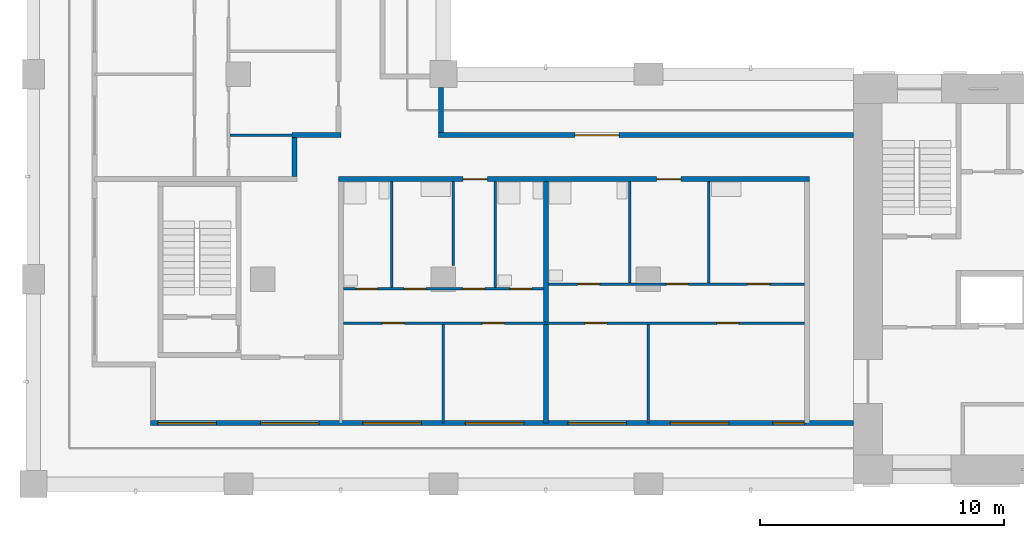
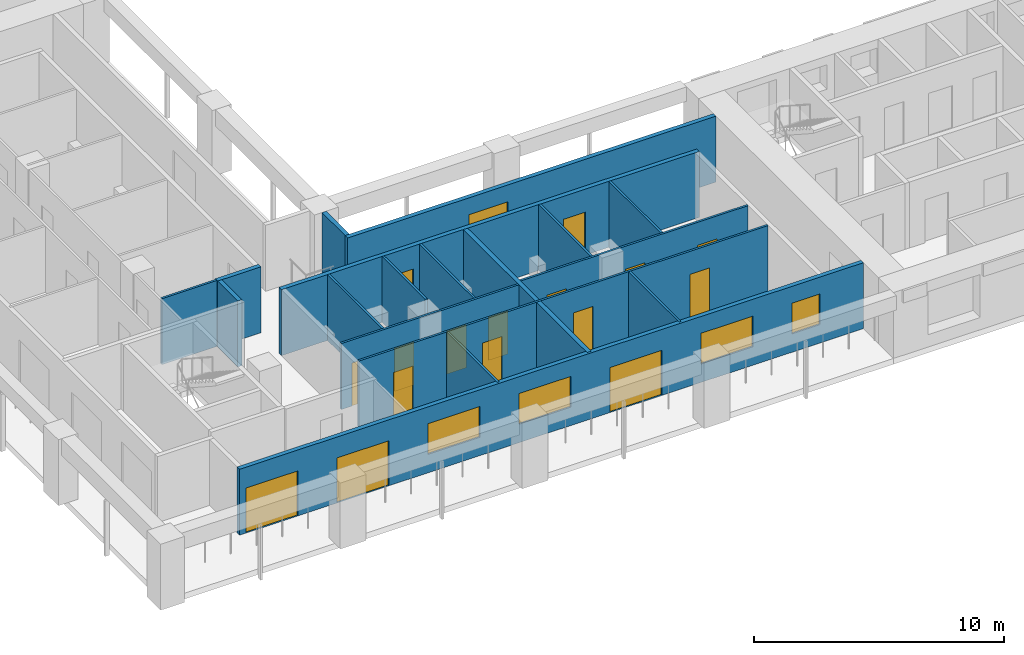
# One storey, part 2 of 10: 18 walls, 17 doors, 4 windows, 21 openings.
"""IFC4 building model written with IfcOpenShell, lengths in metres."""

from ifc_helpers import new_model, si_unit, direction, frame, frame_2d, origin, place, context, subcontext, project, spatial, rectangle, extrude, material, layer, layer_set, type_object, element, fill, save


model = new_model("IFC4")

# Units and contexts
model_context = context("Model", 3, precision=1e-05, world=origin(), true_north=direction((0.0, 1.0)))
body_context = subcontext(model_context, "Body", "Model", "MODEL_VIEW")
ifc_project = project(units=[si_unit("LENGTHUNIT", "METRE"), si_unit("AREAUNIT", "SQUARE_METRE"), si_unit("VOLUMEUNIT", "CUBIC_METRE"), si_unit("PLANEANGLEUNIT", "RADIAN"), si_unit("MASSUNIT", "GRAM", prefix="KILO")], contexts=[model_context])

# Site, building, storey
site_placement = place(None, origin())
site = spatial("IfcSite", under=ifc_project, at=site_placement, CompositionType="ELEMENT")
building_placement = place(site_placement, origin())
building = spatial("IfcBuilding", under=site, at=building_placement, Name="Vermilion Gate Residences", CompositionType="ELEMENT")
storey_placement = place(building_placement, frame((0.0, 0.0, 168.699951171875)))
storey = spatial("IfcBuildingStorey", under=building, at=storey_placement, Name="L43", CompositionType="ELEMENT", Elevation=168.699951171875)

# Wall, openings, doors, windows
ifc_material_1 = material(Name="Insulated steel stud wall with terracotta rainscreen", Category="masonry")
ifc_layer_1 = layer(ifc_material_1, 0.199951171875)
ifc_layer_set_1 = layer_set([ifc_layer_1], Name="EXTERNAL WALL 200 TERRACOTTA RAINSCREEN")
wall_type_1 = type_object("IfcWallType", Name="EXTERNAL WALL 200 TERRACOTTA RAINSCREEN", PredefinedType="SOLIDWALL", material=ifc_layer_set_1)
wall_1_placement = place(storey_placement, frame((13.199951171875, 10.89990234375, 0.0), z_axis=(0.0, 0.0, 1.0), x_axis=(1.0, 0.0, 0.0)))
wall_1 = element("IfcWall", 1, at=wall_1_placement, inside=storey, type_object=wall_type_1, Name="External wall", PredefinedType="SOLIDWALL", context=body_context, shape_type="SweptSolid", body=[
    extrude(rectangle(XDim=28.800048828125, YDim=0.199951171875, at=frame_2d((14.39990234375, 0.0))), origin(), (0.0, 0.0, 1.0), 3.219970703125),
])
opening_1_placement = place(wall_1_placement, frame((0.300048828125, 0.0, 0.0)))
opening_1 = element("IfcOpeningElement", 2, at=opening_1_placement, cuts=wall_1, Name="Opening DE43008", PredefinedType="OPENING", context=body_context, shape_type="SweptSolid", body=[
    extrude(rectangle(XDim=2.39990234375, YDim=2.199951171875, at=frame_2d((1.199951171875, 1.10009765625))), frame((0.0, 0.10986328125, 0.0), z_axis=(0.0, -1.0, 0.0), x_axis=(1.0, 0.0, 0.0)), (0.0, 0.0, 1.0), 0.219970703125),
])
opening_2_placement = place(wall_1_placement, frame((4.5, 0.0, 0.0)))
opening_2 = element("IfcOpeningElement", 3, at=opening_2_placement, cuts=wall_1, Name="Opening DE43009", PredefinedType="OPENING", context=body_context, shape_type="SweptSolid", body=[
    extrude(rectangle(XDim=2.39990234375, YDim=2.199951171875, at=frame_2d((1.199951171875, 1.10009765625))), frame((0.0, 0.10986328125, 0.0), z_axis=(0.0, -1.0, 0.0), x_axis=(1.0, 0.0, 0.0)), (0.0, 0.0, 1.0), 0.219970703125),
])
opening_3_placement = place(wall_1_placement, frame((8.699951171875, 0.0, 0.89990234375)))
opening_3 = element("IfcOpeningElement", 4, at=opening_3_placement, cuts=wall_1, Name="Opening WE43010", PredefinedType="OPENING", context=body_context, shape_type="SweptSolid", body=[
    extrude(rectangle(XDim=2.39990234375, YDim=1.5, at=frame_2d((1.199951171875, 0.75))), frame((0.0, 0.10986328125, 0.0), z_axis=(0.0, -1.0, 0.0), x_axis=(1.0, 0.0, 0.0)), (0.0, 0.0, 1.0), 0.219970703125),
])
opening_4_placement = place(wall_1_placement, frame((12.89990234375, 0.0, 0.89990234375)))
opening_4 = element("IfcOpeningElement", 5, at=opening_4_placement, cuts=wall_1, Name="Opening WE43011", PredefinedType="OPENING", context=body_context, shape_type="SweptSolid", body=[
    extrude(rectangle(XDim=2.39990234375, YDim=1.5, at=frame_2d((1.199951171875, 0.75))), frame((0.0, 0.10986328125, 0.0), z_axis=(0.0, -1.0, 0.0), x_axis=(1.0, 0.0, 0.0)), (0.0, 0.0, 1.0), 0.219970703125),
])
opening_5_placement = place(wall_1_placement, frame((17.10009765625, 0.0, 0.0)))
opening_5 = element("IfcOpeningElement", 6, at=opening_5_placement, cuts=wall_1, Name="Opening DE43012", PredefinedType="OPENING", context=body_context, shape_type="SweptSolid", body=[
    extrude(rectangle(XDim=2.39990234375, YDim=2.199951171875, at=frame_2d((1.199951171875, 1.10009765625))), frame((0.0, 0.10986328125, 0.0), z_axis=(0.0, -1.0, 0.0), x_axis=(1.0, 0.0, 0.0)), (0.0, 0.0, 1.0), 0.219970703125),
])
opening_6_placement = place(wall_1_placement, frame((21.300048828125, 0.0, 0.89990234375)))
opening_6 = element("IfcOpeningElement", 7, at=opening_6_placement, cuts=wall_1, Name="Opening WE43013", PredefinedType="OPENING", context=body_context, shape_type="SweptSolid", body=[
    extrude(rectangle(XDim=2.39990234375, YDim=1.5, at=frame_2d((1.199951171875, 0.75))), frame((0.0, 0.10986328125, 0.0), z_axis=(0.0, -1.0, 0.0), x_axis=(1.0, 0.0, 0.0)), (0.0, 0.0, 1.0), 0.219970703125),
])
opening_7_placement = place(wall_1_placement, frame((25.5, 0.0, 0.89990234375)))
opening_7 = element("IfcOpeningElement", 8, at=opening_7_placement, cuts=wall_1, Name="Opening WE43014", PredefinedType="OPENING", context=body_context, shape_type="SweptSolid", body=[
    extrude(rectangle(XDim=1.300048828125, YDim=1.5, at=frame_2d((0.64990234375, 0.75))), frame((0.0, 0.10986328125, 0.0), z_axis=(0.0, -1.0, 0.0), x_axis=(1.0, 0.0, 0.0)), (0.0, 0.0, 1.0), 0.219970703125),
])
ifc_material_2 = material(Name="Aluminium and clear glass", Category="aluminium")
door_type_1 = type_object("IfcDoorType", Name="SLIDING GLAZED DOOR 2400 X 2200", OperationType="DOUBLE_DOOR_SLIDING", PredefinedType="DOOR", material=ifc_material_2)
door_1_placement = place(opening_1_placement, origin())
door_1 = element("IfcDoor", 9, at=door_1_placement, inside=storey, type_object=door_type_1, Name="Loggia sliding door", OperationType="DOUBLE_DOOR_SLIDING", OverallHeight=2.199951171875, OverallWidth=2.39990234375, PredefinedType="DOOR", context=body_context, shape_type="SweptSolid", body=[
    extrude(rectangle(XDim=2.39990234375, YDim=2.199951171875, at=frame_2d((1.199951171875, 1.10009765625))), frame((0.0, 0.02490234375, 0.0), z_axis=(0.0, -1.0, 0.0), x_axis=(1.0, 0.0, 0.0)), (0.0, 0.0, 1.0), 0.050048828125),
])
fill(opening_1, door_1)
door_2_placement = place(opening_2_placement, origin())
door_2 = element("IfcDoor", 10, at=door_2_placement, inside=storey, type_object=door_type_1, Name="Loggia sliding door", OperationType="DOUBLE_DOOR_SLIDING", OverallHeight=2.199951171875, OverallWidth=2.39990234375, PredefinedType="DOOR", context=body_context, shape_type="SweptSolid", body=[
    extrude(rectangle(XDim=2.39990234375, YDim=2.199951171875, at=frame_2d((1.199951171875, 1.10009765625))), frame((0.0, 0.02490234375, 0.0), z_axis=(0.0, -1.0, 0.0), x_axis=(1.0, 0.0, 0.0)), (0.0, 0.0, 1.0), 0.050048828125),
])
fill(opening_2, door_2)
door_3_placement = place(opening_5_placement, origin())
door_3 = element("IfcDoor", 11, at=door_3_placement, inside=storey, type_object=door_type_1, Name="Loggia sliding door", OperationType="DOUBLE_DOOR_SLIDING", OverallHeight=2.199951171875, OverallWidth=2.39990234375, PredefinedType="DOOR", context=body_context, shape_type="SweptSolid", body=[
    extrude(rectangle(XDim=2.39990234375, YDim=2.199951171875, at=frame_2d((1.199951171875, 1.10009765625))), frame((0.0, 0.02490234375, 0.0), z_axis=(0.0, -1.0, 0.0), x_axis=(1.0, 0.0, 0.0)), (0.0, 0.0, 1.0), 0.050048828125),
])
fill(opening_5, door_3)
ifc_material_3 = material(Name="Aluminium and clear glass", Category="aluminium")
window_type_1 = type_object("IfcWindowType", Name="WINDOW 1300 X 1500", PartitioningType="SINGLE_PANEL", PredefinedType="WINDOW", material=ifc_material_3)
window_1_placement = place(opening_7_placement, origin())
window_1 = element("IfcWindow", 12, at=window_1_placement, inside=storey, type_object=window_type_1, Name="Window", OverallHeight=1.5, OverallWidth=1.300048828125, PartitioningType="SINGLE_PANEL", PredefinedType="WINDOW", context=body_context, shape_type="SweptSolid", body=[
    extrude(rectangle(XDim=1.300048828125, YDim=1.5, at=frame_2d((0.64990234375, 0.75))), frame((0.0, 0.030029296875, 0.0), z_axis=(0.0, -1.0, 0.0), x_axis=(1.0, 0.0, 0.0)), (0.0, 0.0, 1.0), 0.06005859375),
])
fill(opening_7, window_1)
ifc_material_4 = material(Name="Aluminium and clear glass", Category="aluminium")
window_type_2 = type_object("IfcWindowType", Name="WINDOW 2400 X 1500", PartitioningType="SINGLE_PANEL", PredefinedType="WINDOW", material=ifc_material_4)
window_2_placement = place(opening_3_placement, origin())
window_2 = element("IfcWindow", 13, at=window_2_placement, inside=storey, type_object=window_type_2, Name="Window", OverallHeight=1.5, OverallWidth=2.39990234375, PartitioningType="SINGLE_PANEL", PredefinedType="WINDOW", context=body_context, shape_type="SweptSolid", body=[
    extrude(rectangle(XDim=2.39990234375, YDim=1.5, at=frame_2d((1.199951171875, 0.75))), frame((0.0, 0.030029296875, 0.0), z_axis=(0.0, -1.0, 0.0), x_axis=(1.0, 0.0, 0.0)), (0.0, 0.0, 1.0), 0.06005859375),
])
fill(opening_3, window_2)
window_3_placement = place(opening_4_placement, origin())
window_3 = element("IfcWindow", 14, at=window_3_placement, inside=storey, type_object=window_type_2, Name="Window", OverallHeight=1.5, OverallWidth=2.39990234375, PartitioningType="SINGLE_PANEL", PredefinedType="WINDOW", context=body_context, shape_type="SweptSolid", body=[
    extrude(rectangle(XDim=2.39990234375, YDim=1.5, at=frame_2d((1.199951171875, 0.75))), frame((0.0, 0.030029296875, 0.0), z_axis=(0.0, -1.0, 0.0), x_axis=(1.0, 0.0, 0.0)), (0.0, 0.0, 1.0), 0.06005859375),
])
fill(opening_4, window_3)
window_4_placement = place(opening_6_placement, origin())
window_4 = element("IfcWindow", 15, at=window_4_placement, inside=storey, type_object=window_type_2, Name="Window", OverallHeight=1.5, OverallWidth=2.39990234375, PartitioningType="SINGLE_PANEL", PredefinedType="WINDOW", context=body_context, shape_type="SweptSolid", body=[
    extrude(rectangle(XDim=2.39990234375, YDim=1.5, at=frame_2d((1.199951171875, 0.75))), frame((0.0, 0.030029296875, 0.0), z_axis=(0.0, -1.0, 0.0), x_axis=(1.0, 0.0, 0.0)), (0.0, 0.0, 1.0), 0.06005859375),
])
fill(opening_6, window_4)

# Wall, opening, door
wall_2_placement = place(storey_placement, frame((42.0, 22.699951171875, 0.0), z_axis=(0.0, 0.0, 1.0), x_axis=(-1.0, 0.0, 0.0)))
wall_2 = element("IfcWall", 16, at=wall_2_placement, inside=storey, type_object=wall_type_1, Name="External wall", PredefinedType="SOLIDWALL", context=body_context, shape_type="SweptSolid", body=[
    extrude(rectangle(XDim=17.0, YDim=0.199951171875, at=frame_2d((8.5, 0.0))), origin(), (0.0, 0.0, 1.0), 3.219970703125),
])
opening_8_placement = place(wall_2_placement, frame((9.60009765625, 0.0, 0.0)))
opening_8 = element("IfcOpeningElement", 17, at=opening_8_placement, cuts=wall_2, Name="Opening DE43020", PredefinedType="OPENING", context=body_context, shape_type="SweptSolid", body=[
    extrude(rectangle(XDim=1.800048828125, YDim=2.39990234375, at=frame_2d((0.89990234375, 1.199951171875))), frame((0.0, 0.10986328125, 0.0), z_axis=(0.0, -1.0, 0.0), x_axis=(1.0, 0.0, 0.0)), (0.0, 0.0, 1.0), 0.219970703125),
])
ifc_material_5 = material(Name="Aluminium and clear glass", Category="aluminium")
door_type_2 = type_object("IfcDoorType", Name="GLAZED EXTERNAL DOOR 1800 X 2400", OperationType="DOUBLE_DOOR_SINGLE_SWING", PredefinedType="DOOR", material=ifc_material_5)
door_4_placement = place(opening_8_placement, frame((1.800048828125, 0.0, 0.0), z_axis=(0.0, 0.0, 1.0), x_axis=(-1.0, 0.0, 0.0)))
door_4 = element("IfcDoor", 18, at=door_4_placement, inside=storey, type_object=door_type_2, Name="Gallery door", OperationType="DOUBLE_DOOR_SINGLE_SWING", OverallHeight=2.39990234375, OverallWidth=1.800048828125, PredefinedType="DOOR", context=body_context, shape_type="SweptSolid", body=[
    extrude(rectangle(XDim=1.800048828125, YDim=2.39990234375, at=frame_2d((0.89990234375, 1.199951171875))), frame((0.0, 0.02490234375, 0.0), z_axis=(0.0, -1.0, 0.0), x_axis=(1.0, 0.0, 0.0)), (0.0, 0.0, 1.0), 0.050048828125),
])
fill(opening_8, door_4)

# Wall
wall_3_placement = place(storey_placement, frame((25.10009765625, 22.800048828125, 0.0), z_axis=(0.0, 0.0, 1.0), x_axis=(0.0, 1.0, 0.0)))
element("IfcWall", 19, at=wall_3_placement, inside=storey, type_object=wall_type_1, Name="External wall", PredefinedType="SOLIDWALL", context=body_context, shape_type="SweptSolid", body=[
    extrude(rectangle(XDim=1.849853515625, YDim=0.199951171875, at=frame_2d((0.9248046875, 0.0))), origin(), (0.0, 0.0, 1.0), 3.219970703125),
])

# Wall, openings, doors
ifc_material_6 = material(Name="Plasterboard on steel studs", Category="steel")
ifc_layer_2 = layer(ifc_material_6, 0.10009765625)
ifc_layer_set_2 = layer_set([ifc_layer_2], Name="PARTITION 100")
wall_type_2 = type_object("IfcWallType", Name="PARTITION 100", PredefinedType="PARTITIONING", material=ifc_layer_set_2)
wall_4_placement = place(storey_placement, frame((21.10009765625, 15.0, 0.0), z_axis=(0.0, 0.0, 1.0), x_axis=(1.0, 0.0, 0.0)))
wall_4 = element("IfcWall", 20, at=wall_4_placement, inside=storey, type_object=wall_type_2, Name="Partition", PredefinedType="PARTITIONING", context=body_context, shape_type="SweptSolid", body=[
    extrude(rectangle(XDim=18.89990234375, YDim=0.10009765625, at=frame_2d((9.449951171875, 0.0))), origin(), (0.0, 0.0, 1.0), 3.219970703125),
])
opening_9_placement = place(wall_4_placement, frame((1.60009765625, 0.0, 0.0)))
opening_9 = element("IfcOpeningElement", 21, at=opening_9_placement, cuts=wall_4, Name="Opening DA43002", PredefinedType="OPENING", context=body_context, shape_type="SweptSolid", body=[
    extrude(rectangle(XDim=0.89990234375, YDim=2.10009765625, at=frame_2d((0.449951171875, 1.050048828125))), frame((0.0, 0.06005859375, 0.0), z_axis=(0.0, -1.0, 0.0), x_axis=(1.0, 0.0, 0.0)), (0.0, 0.0, 1.0), 0.1201171875),
])
opening_10_placement = place(wall_4_placement, frame((5.699951171875, 0.0, 0.0)))
opening_10 = element("IfcOpeningElement", 22, at=opening_10_placement, cuts=wall_4, Name="Opening DA43003", PredefinedType="OPENING", context=body_context, shape_type="SweptSolid", body=[
    extrude(rectangle(XDim=0.89990234375, YDim=2.10009765625, at=frame_2d((0.449951171875, 1.050048828125))), frame((0.0, 0.06005859375, 0.0), z_axis=(0.0, -1.0, 0.0), x_axis=(1.0, 0.0, 0.0)), (0.0, 0.0, 1.0), 0.1201171875),
])
opening_11_placement = place(wall_4_placement, frame((9.89990234375, 0.0, 0.0)))
opening_11 = element("IfcOpeningElement", 23, at=opening_11_placement, cuts=wall_4, Name="Opening DA43004", PredefinedType="OPENING", context=body_context, shape_type="SweptSolid", body=[
    extrude(rectangle(XDim=0.89990234375, YDim=2.10009765625, at=frame_2d((0.449951171875, 1.050048828125))), frame((0.0, 0.06005859375, 0.0), z_axis=(0.0, -1.0, 0.0), x_axis=(1.0, 0.0, 0.0)), (0.0, 0.0, 1.0), 0.1201171875),
])
opening_12_placement = place(wall_4_placement, frame((15.300048828125, 0.0, 0.0)))
opening_12 = element("IfcOpeningElement", 24, at=opening_12_placement, cuts=wall_4, Name="Opening DA43005", PredefinedType="OPENING", context=body_context, shape_type="SweptSolid", body=[
    extrude(rectangle(XDim=0.89990234375, YDim=2.10009765625, at=frame_2d((0.449951171875, 1.050048828125))), frame((0.0, 0.06005859375, 0.0), z_axis=(0.0, -1.0, 0.0), x_axis=(1.0, 0.0, 0.0)), (0.0, 0.0, 1.0), 0.1201171875),
])
ifc_material_7 = material(Name="Timber", Category="wood")
door_type_3 = type_object("IfcDoorType", Name="INTERIOR DOOR 900 X 2100", OperationType="SINGLE_SWING_LEFT", PredefinedType="DOOR", material=ifc_material_7)
door_5_placement = place(opening_9_placement, frame((0.89990234375, 0.0, 0.0), z_axis=(0.0, 0.0, 1.0), x_axis=(-1.0, 0.0, 0.0)))
door_5 = element("IfcDoor", 25, at=door_5_placement, inside=storey, type_object=door_type_3, Name="Interior door", OperationType="SINGLE_SWING_LEFT", OverallHeight=2.10009765625, OverallWidth=0.89990234375, PredefinedType="DOOR", context=body_context, shape_type="SweptSolid", body=[
    extrude(rectangle(XDim=0.89990234375, YDim=2.10009765625, at=frame_2d((0.449951171875, 1.050048828125))), frame((0.0, 0.02490234375, 0.0), z_axis=(0.0, -1.0, 0.0), x_axis=(1.0, 0.0, 0.0)), (0.0, 0.0, 1.0), 0.050048828125),
])
fill(opening_9, door_5)
door_6_placement = place(opening_10_placement, frame((0.89990234375, 0.0, 0.0), z_axis=(0.0, 0.0, 1.0), x_axis=(-1.0, 0.0, 0.0)))
door_6 = element("IfcDoor", 26, at=door_6_placement, inside=storey, type_object=door_type_3, Name="Interior door", OperationType="SINGLE_SWING_RIGHT", OverallHeight=2.10009765625, OverallWidth=0.89990234375, PredefinedType="DOOR", context=body_context, shape_type="SweptSolid", body=[
    extrude(rectangle(XDim=0.89990234375, YDim=2.10009765625, at=frame_2d((0.449951171875, 1.050048828125))), frame((0.0, 0.02490234375, 0.0), z_axis=(0.0, -1.0, 0.0), x_axis=(1.0, 0.0, 0.0)), (0.0, 0.0, 1.0), 0.050048828125),
])
fill(opening_10, door_6)
door_7_placement = place(opening_11_placement, frame((0.89990234375, 0.0, 0.0), z_axis=(0.0, 0.0, 1.0), x_axis=(-1.0, 0.0, 0.0)))
door_7 = element("IfcDoor", 27, at=door_7_placement, inside=storey, type_object=door_type_3, Name="Interior door", OperationType="SINGLE_SWING_RIGHT", OverallHeight=2.10009765625, OverallWidth=0.89990234375, PredefinedType="DOOR", context=body_context, shape_type="SweptSolid", body=[
    extrude(rectangle(XDim=0.89990234375, YDim=2.10009765625, at=frame_2d((0.449951171875, 1.050048828125))), frame((0.0, 0.02490234375, 0.0), z_axis=(0.0, -1.0, 0.0), x_axis=(1.0, 0.0, 0.0)), (0.0, 0.0, 1.0), 0.050048828125),
])
fill(opening_11, door_7)
door_8_placement = place(opening_12_placement, frame((0.89990234375, 0.0, 0.0), z_axis=(0.0, 0.0, 1.0), x_axis=(-1.0, 0.0, 0.0)))
door_8 = element("IfcDoor", 28, at=door_8_placement, inside=storey, type_object=door_type_3, Name="Interior door", OperationType="SINGLE_SWING_LEFT", OverallHeight=2.10009765625, OverallWidth=0.89990234375, PredefinedType="DOOR", context=body_context, shape_type="SweptSolid", body=[
    extrude(rectangle(XDim=0.89990234375, YDim=2.10009765625, at=frame_2d((0.449951171875, 1.050048828125))), frame((0.0, 0.02490234375, 0.0), z_axis=(0.0, -1.0, 0.0), x_axis=(1.0, 0.0, 0.0)), (0.0, 0.0, 1.0), 0.050048828125),
])
fill(opening_12, door_8)

wall_5_placement = place(storey_placement, frame((21.10009765625, 16.39990234375, 0.0), z_axis=(0.0, 0.0, 1.0), x_axis=(1.0, 0.0, 0.0)))
wall_5 = element("IfcWall", 29, at=wall_5_placement, inside=storey, type_object=wall_type_2, Name="Partition", PredefinedType="PARTITIONING", context=body_context, shape_type="SweptSolid", body=[
    extrude(rectangle(XDim=8.199951171875, YDim=0.10009765625, at=frame_2d((4.10009765625, 0.0))), origin(), (0.0, 0.0, 1.0), 3.219970703125),
])
opening_13_placement = place(wall_5_placement, frame((4.89990234375, 0.0, 0.0)))
opening_13 = element("IfcOpeningElement", 30, at=opening_13_placement, cuts=wall_5, Name="Opening DA43006", PredefinedType="OPENING", context=body_context, shape_type="SweptSolid", body=[
    extrude(rectangle(XDim=0.89990234375, YDim=2.10009765625, at=frame_2d((0.449951171875, 1.050048828125))), frame((0.0, 0.06005859375, 0.0), z_axis=(0.0, -1.0, 0.0), x_axis=(1.0, 0.0, 0.0)), (0.0, 0.0, 1.0), 0.1201171875),
])
opening_14_placement = place(wall_5_placement, frame((0.5, 0.0, 0.0)))
opening_14 = element("IfcOpeningElement", 31, at=opening_14_placement, cuts=wall_5, Name="Opening DA43007", PredefinedType="OPENING", context=body_context, shape_type="SweptSolid", body=[
    extrude(rectangle(XDim=0.89990234375, YDim=2.10009765625, at=frame_2d((0.449951171875, 1.050048828125))), frame((0.0, 0.06005859375, 0.0), z_axis=(0.0, -1.0, 0.0), x_axis=(1.0, 0.0, 0.0)), (0.0, 0.0, 1.0), 0.1201171875),
])
opening_15_placement = place(wall_5_placement, frame((2.47998046875, 0.0, 0.0)))
opening_15 = element("IfcOpeningElement", 32, at=opening_15_placement, cuts=wall_5, Name="Opening DA43008", PredefinedType="OPENING", context=body_context, shape_type="SweptSolid", body=[
    extrude(rectangle(XDim=0.89990234375, YDim=2.10009765625, at=frame_2d((0.449951171875, 1.050048828125))), frame((0.0, 0.06005859375, 0.0), z_axis=(0.0, -1.0, 0.0), x_axis=(1.0, 0.0, 0.0)), (0.0, 0.0, 1.0), 0.1201171875),
])
opening_16_placement = place(wall_5_placement, frame((6.820068359375, 0.0, 0.0)))
opening_16 = element("IfcOpeningElement", 33, at=opening_16_placement, cuts=wall_5, Name="Opening DA43009", PredefinedType="OPENING", context=body_context, shape_type="SweptSolid", body=[
    extrude(rectangle(XDim=0.89990234375, YDim=2.10009765625, at=frame_2d((0.449951171875, 1.050048828125))), frame((0.0, 0.06005859375, 0.0), z_axis=(0.0, -1.0, 0.0), x_axis=(1.0, 0.0, 0.0)), (0.0, 0.0, 1.0), 0.1201171875),
])
door_9_placement = place(opening_13_placement, origin())
door_9 = element("IfcDoor", 34, at=door_9_placement, inside=storey, type_object=door_type_3, Name="Interior door", OperationType="SINGLE_SWING_LEFT", OverallHeight=2.10009765625, OverallWidth=0.89990234375, PredefinedType="DOOR", context=body_context, shape_type="SweptSolid", body=[
    extrude(rectangle(XDim=0.89990234375, YDim=2.10009765625, at=frame_2d((0.449951171875, 1.050048828125))), frame((0.0, 0.02490234375, 0.0), z_axis=(0.0, -1.0, 0.0), x_axis=(1.0, 0.0, 0.0)), (0.0, 0.0, 1.0), 0.050048828125),
])
fill(opening_13, door_9)
door_10_placement = place(opening_14_placement, origin())
door_10 = element("IfcDoor", 35, at=door_10_placement, inside=storey, type_object=door_type_3, Name="Interior door", OperationType="SINGLE_SWING_RIGHT", OverallHeight=2.10009765625, OverallWidth=0.89990234375, PredefinedType="DOOR", context=body_context, shape_type="SweptSolid", body=[
    extrude(rectangle(XDim=0.89990234375, YDim=2.10009765625, at=frame_2d((0.449951171875, 1.050048828125))), frame((0.0, 0.02490234375, 0.0), z_axis=(0.0, -1.0, 0.0), x_axis=(1.0, 0.0, 0.0)), (0.0, 0.0, 1.0), 0.050048828125),
])
fill(opening_14, door_10)
door_11_placement = place(opening_15_placement, origin())
door_11 = element("IfcDoor", 36, at=door_11_placement, inside=storey, type_object=door_type_3, Name="Interior door", OperationType="SINGLE_SWING_RIGHT", OverallHeight=2.10009765625, OverallWidth=0.89990234375, PredefinedType="DOOR", context=body_context, shape_type="SweptSolid", body=[
    extrude(rectangle(XDim=0.89990234375, YDim=2.10009765625, at=frame_2d((0.449951171875, 1.050048828125))), frame((0.0, 0.02490234375, 0.0), z_axis=(0.0, -1.0, 0.0), x_axis=(1.0, 0.0, 0.0)), (0.0, 0.0, 1.0), 0.050048828125),
])
fill(opening_15, door_11)
door_12_placement = place(opening_16_placement, origin())
door_12 = element("IfcDoor", 37, at=door_12_placement, inside=storey, type_object=door_type_3, Name="Interior door", OperationType="SINGLE_SWING_RIGHT", OverallHeight=2.10009765625, OverallWidth=0.89990234375, PredefinedType="DOOR", context=body_context, shape_type="SweptSolid", body=[
    extrude(rectangle(XDim=0.89990234375, YDim=2.10009765625, at=frame_2d((0.449951171875, 1.050048828125))), frame((0.0, 0.02490234375, 0.0), z_axis=(0.0, -1.0, 0.0), x_axis=(1.0, 0.0, 0.0)), (0.0, 0.0, 1.0), 0.050048828125),
])
fill(opening_16, door_12)

wall_6_placement = place(storey_placement, frame((29.5, 16.60009765625, 0.0), z_axis=(0.0, 0.0, 1.0), x_axis=(1.0, 0.0, 0.0)))
wall_6 = element("IfcWall", 38, at=wall_6_placement, inside=storey, type_object=wall_type_2, Name="Partition", PredefinedType="PARTITIONING", context=body_context, shape_type="SweptSolid", body=[
    extrude(rectangle(XDim=10.5, YDim=0.10009765625, at=frame_2d((5.25, 0.0))), origin(), (0.0, 0.0, 1.0), 3.219970703125),
])
opening_17_placement = place(wall_6_placement, frame((4.8330078125, 0.0, 0.0)))
opening_17 = element("IfcOpeningElement", 39, at=opening_17_placement, cuts=wall_6, Name="Opening DA43010", PredefinedType="OPENING", context=body_context, shape_type="SweptSolid", body=[
    extrude(rectangle(XDim=0.89990234375, YDim=2.10009765625, at=frame_2d((0.449951171875, 1.050048828125))), frame((0.0, 0.06005859375, 0.0), z_axis=(0.0, -1.0, 0.0), x_axis=(1.0, 0.0, 0.0)), (0.0, 0.0, 1.0), 0.1201171875),
])
opening_18_placement = place(wall_6_placement, frame((1.199951171875, 0.0, 0.0)))
opening_18 = element("IfcOpeningElement", 40, at=opening_18_placement, cuts=wall_6, Name="Opening DA43011", PredefinedType="OPENING", context=body_context, shape_type="SweptSolid", body=[
    extrude(rectangle(XDim=0.89990234375, YDim=2.10009765625, at=frame_2d((0.449951171875, 1.050048828125))), frame((0.0, 0.06005859375, 0.0), z_axis=(0.0, -1.0, 0.0), x_axis=(1.0, 0.0, 0.0)), (0.0, 0.0, 1.0), 0.1201171875),
])
opening_19_placement = place(wall_6_placement, frame((8.1669921875, 0.0, 0.0)))
opening_19 = element("IfcOpeningElement", 41, at=opening_19_placement, cuts=wall_6, Name="Opening DA43012", PredefinedType="OPENING", context=body_context, shape_type="SweptSolid", body=[
    extrude(rectangle(XDim=0.89990234375, YDim=2.10009765625, at=frame_2d((0.449951171875, 1.050048828125))), frame((0.0, 0.06005859375, 0.0), z_axis=(0.0, -1.0, 0.0), x_axis=(1.0, 0.0, 0.0)), (0.0, 0.0, 1.0), 0.1201171875),
])
door_13_placement = place(opening_17_placement, origin())
door_13 = element("IfcDoor", 42, at=door_13_placement, inside=storey, type_object=door_type_3, Name="Interior door", OperationType="SINGLE_SWING_LEFT", OverallHeight=2.10009765625, OverallWidth=0.89990234375, PredefinedType="DOOR", context=body_context, shape_type="SweptSolid", body=[
    extrude(rectangle(XDim=0.89990234375, YDim=2.10009765625, at=frame_2d((0.449951171875, 1.050048828125))), frame((0.0, 0.02490234375, 0.0), z_axis=(0.0, -1.0, 0.0), x_axis=(1.0, 0.0, 0.0)), (0.0, 0.0, 1.0), 0.050048828125),
])
fill(opening_17, door_13)
door_14_placement = place(opening_18_placement, origin())
door_14 = element("IfcDoor", 43, at=door_14_placement, inside=storey, type_object=door_type_3, Name="Interior door", OperationType="SINGLE_SWING_LEFT", OverallHeight=2.10009765625, OverallWidth=0.89990234375, PredefinedType="DOOR", context=body_context, shape_type="SweptSolid", body=[
    extrude(rectangle(XDim=0.89990234375, YDim=2.10009765625, at=frame_2d((0.449951171875, 1.050048828125))), frame((0.0, 0.02490234375, 0.0), z_axis=(0.0, -1.0, 0.0), x_axis=(1.0, 0.0, 0.0)), (0.0, 0.0, 1.0), 0.050048828125),
])
fill(opening_18, door_14)
door_15_placement = place(opening_19_placement, origin())
door_15 = element("IfcDoor", 44, at=door_15_placement, inside=storey, type_object=door_type_3, Name="Interior door", OperationType="SINGLE_SWING_RIGHT", OverallHeight=2.10009765625, OverallWidth=0.89990234375, PredefinedType="DOOR", context=body_context, shape_type="SweptSolid", body=[
    extrude(rectangle(XDim=0.89990234375, YDim=2.10009765625, at=frame_2d((0.449951171875, 1.050048828125))), frame((0.0, 0.02490234375, 0.0), z_axis=(0.0, -1.0, 0.0), x_axis=(1.0, 0.0, 0.0)), (0.0, 0.0, 1.0), 0.050048828125),
])
fill(opening_19, door_15)

# Walls
wall_7_placement = place(storey_placement, frame((16.449951171875, 22.699951171875, 0.0), z_axis=(0.0, 0.0, 1.0), x_axis=(1.0, 0.0, 0.0)))
element("IfcWall", 45, at=wall_7_placement, inside=storey, type_object=wall_type_2, Name="Partition", PredefinedType="PARTITIONING", context=body_context, shape_type="SweptSolid", body=[
    extrude(rectangle(XDim=2.550048828125, YDim=0.10009765625, at=frame_2d((1.27490234375, 0.0))), origin(), (0.0, 0.0, 1.0), 3.219970703125),
])
wall_8_placement = place(storey_placement, frame((23.080078125, 16.449951171875, 0.0), z_axis=(0.0, 0.0, 1.0), x_axis=(0.0, 1.0, 0.0)))
element("IfcWall", 46, at=wall_8_placement, inside=storey, type_object=wall_type_2, Name="Partition", PredefinedType="PARTITIONING", context=body_context, shape_type="SweptSolid", body=[
    extrude(rectangle(XDim=4.35009765625, YDim=0.10009765625, at=frame_2d((2.175048828125, 0.0))), origin(), (0.0, 0.0, 1.0), 3.219970703125),
])
wall_9_placement = place(storey_placement, frame((25.199951171875, 10.89990234375, 0.0), z_axis=(0.0, 0.0, 1.0), x_axis=(0.0, 1.0, 0.0)))
element("IfcWall", 47, at=wall_9_placement, inside=storey, type_object=wall_type_2, Name="Partition", PredefinedType="PARTITIONING", context=body_context, shape_type="SweptSolid", body=[
    extrude(rectangle(XDim=4.050048828125, YDim=0.10009765625, at=frame_2d((2.02490234375, 0.0))), origin(), (0.0, 0.0, 1.0), 3.219970703125),
])
wall_10_placement = place(storey_placement, frame((25.60009765625, 17.35009765625, 0.0), z_axis=(0.0, 0.0, 1.0), x_axis=(0.0, 1.0, 0.0)))
element("IfcWall", 48, at=wall_10_placement, inside=storey, type_object=wall_type_2, Name="Partition", PredefinedType="PARTITIONING", context=body_context, shape_type="SweptSolid", body=[
    extrude(rectangle(XDim=3.449951171875, YDim=0.10009765625, at=frame_2d((1.72509765625, 0.0))), origin(), (0.0, 0.0, 1.0), 3.219970703125),
])
wall_11_placement = place(storey_placement, frame((27.320068359375, 16.449951171875, 0.0), z_axis=(0.0, 0.0, 1.0), x_axis=(0.0, 1.0, 0.0)))
element("IfcWall", 49, at=wall_11_placement, inside=storey, type_object=wall_type_2, Name="Partition", PredefinedType="PARTITIONING", context=body_context, shape_type="SweptSolid", body=[
    extrude(rectangle(XDim=4.35009765625, YDim=0.10009765625, at=frame_2d((2.175048828125, 0.0))), origin(), (0.0, 0.0, 1.0), 3.219970703125),
])
wall_12_placement = place(storey_placement, frame((32.8330078125, 16.64990234375, 0.0), z_axis=(0.0, 0.0, 1.0), x_axis=(0.0, 1.0, 0.0)))
element("IfcWall", 50, at=wall_12_placement, inside=storey, type_object=wall_type_2, Name="Partition", PredefinedType="PARTITIONING", context=body_context, shape_type="SweptSolid", body=[
    extrude(rectangle(XDim=4.150146484375, YDim=0.10009765625, at=frame_2d((2.0751953125, 0.0))), origin(), (0.0, 0.0, 1.0), 3.219970703125),
])
wall_13_placement = place(storey_placement, frame((33.60009765625, 10.89990234375, 0.0), z_axis=(0.0, 0.0, 1.0), x_axis=(0.0, 1.0, 0.0)))
element("IfcWall", 51, at=wall_13_placement, inside=storey, type_object=wall_type_2, Name="Partition", PredefinedType="PARTITIONING", context=body_context, shape_type="SweptSolid", body=[
    extrude(rectangle(XDim=4.050048828125, YDim=0.10009765625, at=frame_2d((2.02490234375, 0.0))), origin(), (0.0, 0.0, 1.0), 3.219970703125),
])
wall_14_placement = place(storey_placement, frame((36.06689453125, 16.64990234375, 0.0), z_axis=(0.0, 0.0, 1.0), x_axis=(0.0, 1.0, 0.0)))
element("IfcWall", 52, at=wall_14_placement, inside=storey, type_object=wall_type_2, Name="Partition", PredefinedType="PARTITIONING", context=body_context, shape_type="SweptSolid", body=[
    extrude(rectangle(XDim=4.150146484375, YDim=0.10009765625, at=frame_2d((2.0751953125, 0.0))), origin(), (0.0, 0.0, 1.0), 3.219970703125),
])

# Wall, openings, doors
ifc_material_8 = material(Name="Fire-rated plasterboard on steel studs", Category="steel")
ifc_layer_3 = layer(ifc_material_8, 0.199951171875)
ifc_layer_set_3 = layer_set([ifc_layer_3], Name="PARTY WALL 200 EI 120")
wall_type_3 = type_object("IfcWallType", Name="PARTY WALL 200 EI 120", PredefinedType="PARTITIONING", material=ifc_layer_set_3)
wall_15_placement = place(storey_placement, frame((20.89990234375, 20.89990234375, 0.0), z_axis=(0.0, 0.0, 1.0), x_axis=(1.0, 0.0, 0.0)))
wall_15 = element("IfcWall", 53, at=wall_15_placement, inside=storey, type_object=wall_type_3, Name="Party and corridor wall", PredefinedType="PARTITIONING", context=body_context, shape_type="SweptSolid", body=[
    extrude(rectangle(XDim=19.300048828125, YDim=0.199951171875, at=frame_2d((9.64990234375, 0.0))), origin(), (0.0, 0.0, 1.0), 3.219970703125),
])
opening_20_placement = place(wall_15_placement, frame((5.10009765625, 0.0, 0.0)))
opening_20 = element("IfcOpeningElement", 54, at=opening_20_placement, cuts=wall_15, Name="Opening DA43013", PredefinedType="OPENING", context=body_context, shape_type="SweptSolid", body=[
    extrude(rectangle(XDim=1.0, YDim=2.10009765625, at=frame_2d((0.5, 1.050048828125))), frame((0.0, 0.10986328125, 0.0), z_axis=(0.0, -1.0, 0.0), x_axis=(1.0, 0.0, 0.0)), (0.0, 0.0, 1.0), 0.219970703125),
])
opening_21_placement = place(wall_15_placement, frame((13.032958984375, 0.0, 0.0)))
opening_21 = element("IfcOpeningElement", 55, at=opening_21_placement, cuts=wall_15, Name="Opening DA43014", PredefinedType="OPENING", context=body_context, shape_type="SweptSolid", body=[
    extrude(rectangle(XDim=1.0, YDim=2.10009765625, at=frame_2d((0.5, 1.050048828125))), frame((0.0, 0.10986328125, 0.0), z_axis=(0.0, -1.0, 0.0), x_axis=(1.0, 0.0, 0.0)), (0.0, 0.0, 1.0), 0.219970703125),
])
ifc_material_9 = material(Name="Steel", Category="steel")
door_type_4 = type_object("IfcDoorType", Name="ENTRANCE DOOR 1000 X 2100 FD30", OperationType="SINGLE_SWING_LEFT", PredefinedType="DOOR", material=ifc_material_9)
door_16_placement = place(opening_20_placement, frame((1.0, 0.0, 0.0), z_axis=(0.0, 0.0, 1.0), x_axis=(-1.0, 0.0, 0.0)))
door_16 = element("IfcDoor", 56, at=door_16_placement, inside=storey, type_object=door_type_4, Name="Entrance door", OperationType="SINGLE_SWING_LEFT", OverallHeight=2.10009765625, OverallWidth=1.0, PredefinedType="DOOR", context=body_context, shape_type="SweptSolid", body=[
    extrude(rectangle(XDim=1.0, YDim=2.10009765625, at=frame_2d((0.5, 1.050048828125))), frame((0.0, 0.02490234375, 0.0), z_axis=(0.0, -1.0, 0.0), x_axis=(1.0, 0.0, 0.0)), (0.0, 0.0, 1.0), 0.050048828125),
])
fill(opening_20, door_16)
door_17_placement = place(opening_21_placement, frame((1.0, 0.0, 0.0), z_axis=(0.0, 0.0, 1.0), x_axis=(-1.0, 0.0, 0.0)))
door_17 = element("IfcDoor", 57, at=door_17_placement, inside=storey, type_object=door_type_4, Name="Entrance door", OperationType="SINGLE_SWING_RIGHT", OverallHeight=2.10009765625, OverallWidth=1.0, PredefinedType="DOOR", context=body_context, shape_type="SweptSolid", body=[
    extrude(rectangle(XDim=1.0, YDim=2.10009765625, at=frame_2d((0.5, 1.050048828125))), frame((0.0, 0.02490234375, 0.0), z_axis=(0.0, -1.0, 0.0), x_axis=(1.0, 0.0, 0.0)), (0.0, 0.0, 1.0), 0.050048828125),
])
fill(opening_21, door_17)

# Walls
wall_16_placement = place(storey_placement, frame((19.0, 22.699951171875, 0.0), z_axis=(0.0, 0.0, 1.0), x_axis=(1.0, 0.0, 0.0)))
element("IfcWall", 58, at=wall_16_placement, inside=storey, type_object=wall_type_3, Name="Party and corridor wall", PredefinedType="PARTITIONING", context=body_context, shape_type="SweptSolid", body=[
    extrude(rectangle(XDim=2.0, YDim=0.199951171875, at=frame_2d((1.0, 0.0))), origin(), (0.0, 0.0, 1.0), 3.219970703125),
])
wall_17_placement = place(storey_placement, frame((19.10009765625, 21.0, 0.0), z_axis=(0.0, 0.0, 1.0), x_axis=(0.0, 1.0, 0.0)))
element("IfcWall", 59, at=wall_17_placement, inside=storey, type_object=wall_type_3, Name="Party and corridor wall", PredefinedType="PARTITIONING", context=body_context, shape_type="SweptSolid", body=[
    extrude(rectangle(XDim=1.60009765625, YDim=0.199951171875, at=frame_2d((0.800048828125, 0.0))), origin(), (0.0, 0.0, 1.0), 3.219970703125),
])
wall_18_placement = place(storey_placement, frame((29.39990234375, 10.89990234375, 0.0), z_axis=(0.0, 0.0, 1.0), x_axis=(0.0, 1.0, 0.0)))
element("IfcWall", 60, at=wall_18_placement, inside=storey, type_object=wall_type_3, Name="Party and corridor wall", PredefinedType="PARTITIONING", context=body_context, shape_type="SweptSolid", body=[
    extrude(rectangle(XDim=9.900146484375, YDim=0.199951171875, at=frame_2d((4.9501953125, 0.0))), origin(), (0.0, 0.0, 1.0), 3.219970703125),
])

save(model, "model.ifc")
